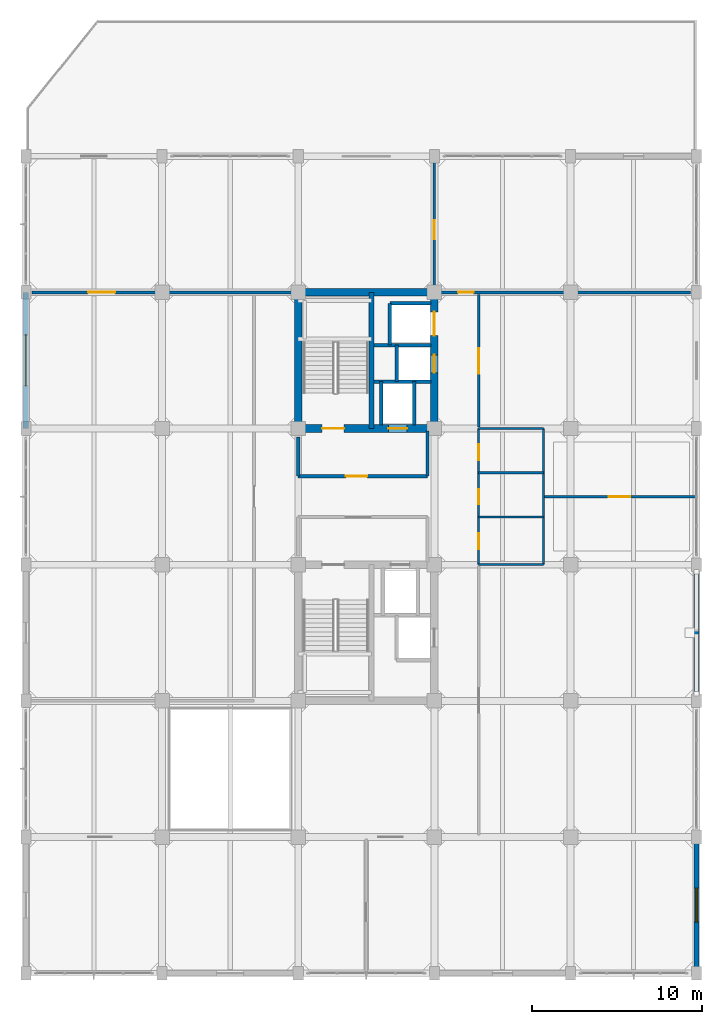
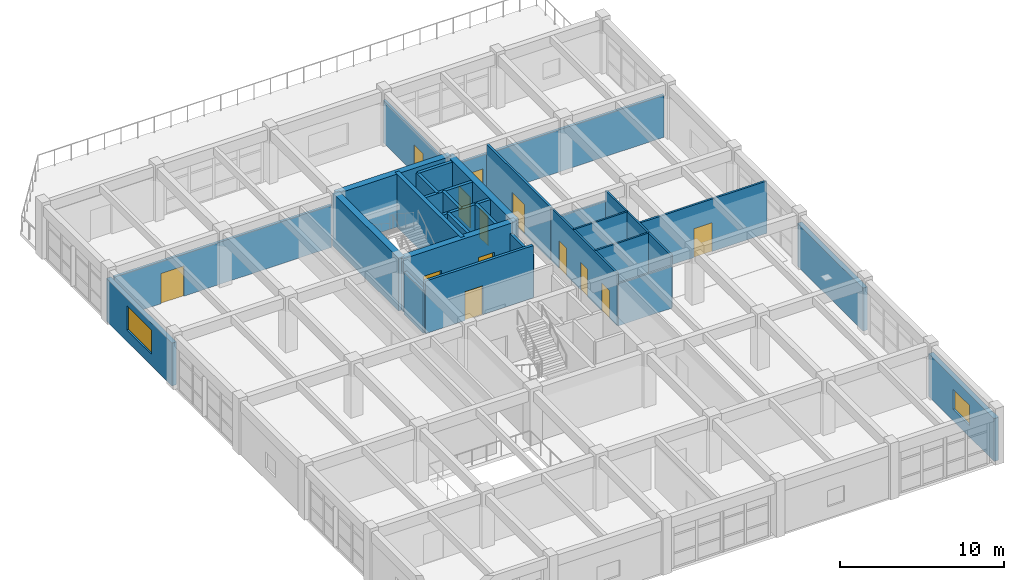
# One storey, part 25 of 30: 29 walls, 13 doors, 2 windows, 15 openings.
"""IFC4 building model written with IfcOpenShell, lengths in metres."""

import ifcopenshell
import ifcopenshell.guid

model = None  # the IFC model being written
_history = None  # IfcOwnerHistory: only IFC2X3 demands one
_inside = {}  # id of a spatial element -> (the spatial element, [elements in it])
_under = {}  # id of a project, library or spatial element -> (it, [spatial elements below it])
_declared = {}  # id of a project -> (the project, [libraries it declares])
_typed = {}  # id of a type object -> (the type object, [elements of that type])
_made_of = {}  # id of a material, layer set ... -> (it, [elements and type objects made of it])


def new_model(schema):
    """Start an empty IFC model of exactly this schema.

    Asked for "IFC4X3", IfcOpenShell would pick the latest addendum, in which some entities
    have other attributes; the version numbers below select the first issue.
    IFC2X3 requires an IfcOwnerHistory on every rooted entity: one is made here for all.
    """
    global model, _history
    if schema == "IFC4X3":
        model = ifcopenshell.file(schema_version=(4, 3, 0, 0))
    else:
        model = ifcopenshell.file(schema=schema)
    _inside.clear()
    _under.clear()
    _declared.clear()
    _typed.clear()
    _made_of.clear()
    _history = None
    if model.schema == "IFC2X3":
        org = make("IfcOrganization", Name="unknown")
        user = make(
            "IfcPersonAndOrganization",
            ThePerson=make("IfcPerson", FamilyName="unknown"),
            TheOrganization=org,
        )
        app = make(
            "IfcApplication",
            ApplicationDeveloper=org,
            Version="unknown",
            ApplicationFullName="unknown",
            ApplicationIdentifier="unknown",
        )
        _history = make(
            "IfcOwnerHistory",
            OwningUser=user,
            OwningApplication=app,
            ChangeAction="ADDED",
            CreationDate=0,
        )
    return model


def make(cls, **values):
    """One entity of the class cls with the attributes given. An attribute that is None is left unset."""
    return model.create_entity(
        cls, **{name: value for name, value in values.items() if value is not None}
    )


def rooted(cls, **values):
    """An entity with a GlobalId (a new one), such as an element, a storey or a relation."""
    return make(cls, GlobalId=ifcopenshell.guid.new(), OwnerHistory=_history, **values)


def si_unit(unit_type, name, prefix=None):
    """IfcSIUnit, for example si_unit("LENGTHUNIT", "METRE", prefix="MILLI")."""
    return make("IfcSIUnit", UnitType=unit_type, Prefix=prefix, Name=name)


def assignment(units):
    """IfcUnitAssignment: the units of a project."""
    return None if units is None else make("IfcUnitAssignment", Units=units)


def point(xyz):
    """IfcCartesianPoint."""
    return None if xyz is None else make("IfcCartesianPoint", Coordinates=xyz)


def direction(xyz):
    """IfcDirection."""
    return None if xyz is None else make("IfcDirection", DirectionRatios=xyz)


def frame(location, z_axis=None, x_axis=None):
    """IfcAxis2Placement3D, a coordinate frame: its origin and axes. An axis left out is left unset."""
    return make(
        "IfcAxis2Placement3D",
        Location=point(location),
        Axis=direction(z_axis),
        RefDirection=direction(x_axis),
    )


def frame_2d(location, x_axis=None):
    """IfcAxis2Placement2D, a coordinate frame in the plane: its origin and x axis."""
    return make(
        "IfcAxis2Placement2D", Location=point(location), RefDirection=direction(x_axis)
    )


def origin():
    """The frame at (0, 0, 0) with its axes left unset."""
    return frame((0.0, 0.0, 0.0))


def place(relative_to, where):
    """IfcLocalPlacement: puts the frame where relative to a parent placement (None: the world)."""
    return make(
        "IfcLocalPlacement", PlacementRelTo=relative_to, RelativePlacement=where
    )


def context(
    kind, dimensions, precision=None, world=None, true_north=None, identifier=None
):
    """IfcGeometricRepresentationContext, for example the 3D "Model" context."""
    return make(
        "IfcGeometricRepresentationContext",
        ContextIdentifier=identifier,
        ContextType=kind,
        CoordinateSpaceDimension=dimensions,
        Precision=precision,
        WorldCoordinateSystem=world,
        TrueNorth=true_north,
    )


def subcontext(parent, identifier, kind, view, scale=None):
    """IfcGeometricRepresentationSubContext, for example "Body" below "Model"."""
    return make(
        "IfcGeometricRepresentationSubContext",
        ContextIdentifier=identifier,
        ContextType=kind,
        ParentContext=parent,
        TargetScale=scale,
        TargetView=view,
    )


def project(units=None, contexts=None):
    """IfcProject with its units and contexts."""
    return rooted(
        "IfcProject",
        Name="project",
        RepresentationContexts=contexts,
        UnitsInContext=assignment(units),
    )


def spatial(cls, under=None, at=None, **own):
    """A site, building, storey or space (cls), placed at a placement, below another one or the project."""
    s = rooted(cls, ObjectPlacement=at, **own)
    if under is not None:
        _under.setdefault(under.id(), (under, []))[1].append(s)
    return s


def profile(cls, at=None, kind="AREA", **sizes):
    """A parametric profile (cls). Its sizes go by their IFC names, for example OverallWidth=200.0."""
    return make(cls, ProfileType=kind, Position=at, **sizes)


def rectangle(**sizes):
    """IfcRectangleProfileDef."""
    return profile("IfcRectangleProfileDef", **sizes)


def extrude(swept, where, along, depth):
    """IfcExtrudedAreaSolid: the profile swept, set in the frame where, extruded along a direction by depth."""
    return make(
        "IfcExtrudedAreaSolid",
        SweptArea=swept,
        Position=where,
        ExtrudedDirection=direction(along),
        Depth=depth,
    )


def shape(context_of_items, identifier, shape_type, items):
    """IfcShapeRepresentation: the items that make up one representation, for example the "Body"."""
    return make(
        "IfcShapeRepresentation",
        ContextOfItems=context_of_items,
        RepresentationIdentifier=identifier,
        RepresentationType=shape_type,
        Items=items,
    )


def material(Name=None, Category=None):
    """IfcMaterial."""
    return make("IfcMaterial", Name=Name, Category=Category)


def layer(
    of_material, thickness, ventilated=None, Name=None, Category=None, Priority=None
):
    """IfcMaterialLayer: one layer of a wall or slab, of a material (None: an air gap)."""
    return make(
        "IfcMaterialLayer",
        Material=of_material,
        LayerThickness=thickness,
        IsVentilated=ventilated,
        Name=Name,
        Category=Category,
        Priority=Priority,
    )


def layer_set(layers, Name=None):
    """IfcMaterialLayerSet."""
    return make("IfcMaterialLayerSet", MaterialLayers=layers, LayerSetName=Name)


def made_of(thing, what):
    """Note that an element or type object is made of a material, layer set ...; save() writes the relation."""
    if what is not None:
        _made_of.setdefault(what.id(), (what, []))[1].append(thing)
    return thing


def type_object(cls, material=None, **own):
    """A type object (cls), such as IfcWallType, which elements share."""
    return made_of(rooted(cls, **own), material)


def element(
    cls,
    number,
    at=None,
    inside=None,
    cuts=None,
    type_object=None,
    material=None,
    context=None,
    identifier="Body",
    shape_type=None,
    held_by="IfcProductDefinitionShape",
    body=None,
    shapes=None,
    **own,
):
    """One element of the class cls, such as IfcWall. Its Tag is "e" and its number.

    at: its placement. inside: the storey or other place that contains it. cuts: it is an
    opening in that element (IfcRelVoidsElement). A single representation is given by context,
    identifier, shape_type and body (its items); several are given by shapes. held_by: the class
    of the entity that holds the representations. save() writes the other relations.
    """
    e = rooted(cls, Tag="e%d" % number, ObjectPlacement=at, **own)
    if body is not None:
        shapes = [shape(context, identifier, shape_type, body)]
    if shapes is not None:
        e.Representation = make(held_by, Representations=shapes)
    if inside is not None:
        _inside.setdefault(inside.id(), (inside, []))[1].append(e)
    if cuts is not None:
        rooted(
            "IfcRelVoidsElement", RelatingBuildingElement=cuts, RelatedOpeningElement=e
        )
    if type_object is not None:
        _typed.setdefault(type_object.id(), (type_object, []))[1].append(e)
    return made_of(e, material)


def fill(opening, filler):
    """IfcRelFillsElement: the door or window that sits in an opening."""
    return rooted(
        "IfcRelFillsElement",
        RelatingOpeningElement=opening,
        RelatedBuildingElement=filler,
    )


def aggregate(whole, parts):
    """IfcRelAggregates: a whole, such as a stair, and the parts it consists of."""
    return rooted("IfcRelAggregates", RelatingObject=whole, RelatedObjects=parts)


def save(model, path):
    """Write the relations noted so far, then the file.

    IfcRelAggregates (storeys below a building ...), IfcRelContainedInSpatialStructure (elements
    in a storey), IfcRelDefinesByType, IfcRelAssociatesMaterial and IfcRelDeclares: one each for
    every whole, place, type object, material and project.
    """
    for whole, parts in _under.values():
        aggregate(whole, parts)
    for where, things in _inside.values():
        rooted(
            "IfcRelContainedInSpatialStructure",
            RelatedElements=things,
            RelatingStructure=where,
        )
    for kind, things in _typed.values():
        rooted("IfcRelDefinesByType", RelatedObjects=things, RelatingType=kind)
    for what, things in _made_of.values():
        rooted("IfcRelAssociatesMaterial", RelatedObjects=things, RelatingMaterial=what)
    for by, libraries in _declared.values():
        rooted("IfcRelDeclares", RelatingContext=by, RelatedDefinitions=libraries)
    model.write(path)


model = new_model("IFC4")

# Units and contexts
model_context = context("Model", 3, precision=1e-05, world=origin(), true_north=direction((0.0, 1.0)))
body_context = subcontext(model_context, "Body", "Model", "MODEL_VIEW")
ifc_project = project(units=[si_unit("LENGTHUNIT", "METRE"), si_unit("AREAUNIT", "SQUARE_METRE"), si_unit("VOLUMEUNIT", "CUBIC_METRE"), si_unit("PLANEANGLEUNIT", "RADIAN"), si_unit("MASSUNIT", "GRAM", prefix="KILO")], contexts=[model_context])

# Site, building, storey
site_placement = place(None, origin())
site = spatial("IfcSite", under=ifc_project, at=site_placement, CompositionType="ELEMENT")
building_placement = place(site_placement, origin())
building = spatial("IfcBuilding", under=site, at=building_placement, Name="Canggui Botanical Conservatory", CompositionType="ELEMENT")
storey_placement = place(building_placement, frame((0.0, 0.0, 19.199951171875)))
storey = spatial("IfcBuildingStorey", under=building, at=storey_placement, Name="L05", CompositionType="ELEMENT", Elevation=19.199951171875)

# Wall, opening, window
ifc_material_1 = material(Name="Precast Concrete C40", Category="concrete")
ifc_layer_1 = layer(ifc_material_1, 0.320068359375, Name="Precast Concrete C40", Category="concrete")
ifc_layer_set_1 = layer_set([ifc_layer_1], Name="Precast Concrete C40")
wall_type_1 = type_object("IfcWallType", Name="EW-320", PredefinedType="STANDARD", material=ifc_layer_set_1)
wall_1_placement = place(storey_placement, frame((138.0, 58.0, 0.0), z_axis=(0.0, 0.0, 1.0), x_axis=(0.0, 1.0, 0.0)))
wall_1 = element("IfcWall", 1, at=wall_1_placement, inside=storey, type_object=wall_type_1, Name="Tower Insulated Exterior Wall L05-W10", PredefinedType="STANDARD", context=body_context, shape_type="SweptSolid", body=[
    extrude(rectangle(XDim=8.0, YDim=0.320068359375, at=frame_2d((4.0, 0.0))), origin(), (0.0, 0.0, 1.0), 3.18994140625),
])
opening_1_placement = place(wall_1_placement, frame((2.5, 0.0, 0.85009765625)))
opening_1 = element("IfcOpeningElement", 2, at=opening_1_placement, cuts=wall_1, Name="Opening W-07", PredefinedType="OPENING", context=body_context, shape_type="SweptSolid", body=[
    extrude(rectangle(XDim=3.0, YDim=1.800048828125, at=frame_2d((1.5, 0.89990234375))), frame((0.0, 0.169921875, 0.0), z_axis=(0.0, -1.0, 0.0), x_axis=(1.0, 0.0, 0.0)), (0.0, 0.0, 1.0), 0.340087890625),
])
ifc_material_2 = material(Name="Low-E Insulated Glass", Category="glass")
window_type_1 = type_object("IfcWindowType", Name="WIN-07", PartitioningType="TRIPLE_PANEL_VERTICAL", PredefinedType="WINDOW", material=ifc_material_2)
window_1_placement = place(opening_1_placement, origin())
window_1 = element("IfcWindow", 3, at=window_1_placement, inside=storey, type_object=window_type_1, Name="Tower Window L05-10", OverallHeight=1.800048828125, OverallWidth=3.0, PartitioningType="SINGLE_PANEL", PredefinedType="WINDOW", context=body_context, shape_type="SweptSolid", body=[
    extrude(rectangle(XDim=3.0, YDim=1.800048828125, at=frame_2d((1.5, 0.89990234375))), frame((0.0, 0.030029296875, 0.0), z_axis=(0.0, -1.0, 0.0), x_axis=(1.0, 0.0, 0.0)), (0.0, 0.0, 1.0), 0.06005859375),
])
fill(opening_1, window_1)

# Wall
wall_2_placement = place(storey_placement, frame((177.39990234375, 50.0, 0.0), z_axis=(0.0, 0.0, 1.0), x_axis=(0.0, -1.0, 0.0)))
element("IfcWall", 4, at=wall_2_placement, inside=storey, type_object=wall_type_1, Name="Tower Insulated Exterior Wall L05-E20", PredefinedType="STANDARD", context=body_context, shape_type="SweptSolid", body=[
    extrude(rectangle(XDim=8.0, YDim=0.320068359375, at=frame_2d((4.0, 0.0))), origin(), (0.0, 0.0, 1.0), 3.18994140625),
])

# Wall, opening, window
wall_3_placement = place(storey_placement, frame((177.39990234375, 34.0, 0.0), z_axis=(0.0, 0.0, 1.0), x_axis=(0.0, -1.0, 0.0)))
wall_3 = element("IfcWall", 5, at=wall_3_placement, inside=storey, type_object=wall_type_1, Name="Tower Insulated Exterior Wall L05-E22", PredefinedType="STANDARD", context=body_context, shape_type="SweptSolid", body=[
    extrude(rectangle(XDim=8.0, YDim=0.320068359375, at=frame_2d((4.0, 0.0))), origin(), (0.0, 0.0, 1.0), 3.18994140625),
])
opening_2_placement = place(wall_3_placement, frame((3.0, 0.0, 0.85009765625)))
opening_2 = element("IfcOpeningElement", 6, at=opening_2_placement, cuts=wall_3, Name="Opening W-11", PredefinedType="OPENING", context=body_context, shape_type="SweptSolid", body=[
    extrude(rectangle(XDim=2.0, YDim=1.5, at=frame_2d((1.0, 0.75))), frame((0.0, 0.169921875, 0.0), z_axis=(0.0, -1.0, 0.0), x_axis=(1.0, 0.0, 0.0)), (0.0, 0.0, 1.0), 0.340087890625),
])
window_type_2 = type_object("IfcWindowType", Name="WIN-11", PartitioningType="DOUBLE_PANEL_VERTICAL", PredefinedType="WINDOW", material=ifc_material_2)
window_2_placement = place(opening_2_placement, origin())
window_2 = element("IfcWindow", 7, at=window_2_placement, inside=storey, type_object=window_type_2, Name="Tower Window L05-22", OverallHeight=1.5, OverallWidth=2.0, PartitioningType="SINGLE_PANEL", PredefinedType="WINDOW", context=body_context, shape_type="SweptSolid", body=[
    extrude(rectangle(XDim=2.0, YDim=1.5, at=frame_2d((1.0, 0.75))), frame((0.0, 0.030029296875, 0.0), z_axis=(0.0, -1.0, 0.0), x_axis=(1.0, 0.0, 0.0)), (0.0, 0.0, 1.0), 0.06005859375),
])
fill(opening_2, window_2)

# Wall, opening, door
ifc_material_3 = material(Name="Gypsum Plasterboard Partition")
ifc_layer_2 = layer(ifc_material_3, 0.175048828125, Name="Gypsum Plasterboard Partition")
ifc_layer_set_2 = layer_set([ifc_layer_2], Name="Gypsum Plasterboard Partition")
wall_type_2 = type_object("IfcWallType", Name="IW-CORR-175", PredefinedType="STANDARD", material=ifc_layer_set_2)
wall_4_placement = place(storey_placement, frame((138.35009765625, 66.0, 0.0), z_axis=(0.0, 0.0, 1.0), x_axis=(1.0, 0.0, 0.0)))
wall_4 = element("IfcWall", 8, at=wall_4_placement, inside=storey, type_object=wall_type_2, Name="L05 Archival Conservation Bindery North Suite Wall", PredefinedType="STANDARD", context=body_context, shape_type="SweptSolid", body=[
    extrude(rectangle(XDim=15.2998046875, YDim=0.175048828125, at=frame_2d((7.64990234375, 0.0))), origin(), (0.0, 0.0, 1.0), 3.14013671875),
])
opening_3_placement = place(wall_4_placement, frame((3.300048828125, 0.0, 0.0)))
opening_3 = element("IfcOpeningElement", 9, at=opening_3_placement, cuts=wall_4, Name="Opening FD-15", PredefinedType="OPENING", context=body_context, shape_type="SweptSolid", body=[
    extrude(rectangle(XDim=1.60009765625, YDim=2.25, at=frame_2d((0.800048828125, 1.125))), frame((0.0, 0.09765625, 0.0), z_axis=(0.0, -1.0, 0.0), x_axis=(1.0, 0.0, 0.0)), (0.0, 0.0, 1.0), 0.195068359375),
])
ifc_material_4 = material(Name="Powder-Coated Steel", Category="steel")
door_type_1 = type_object("IfcDoorType", Name="FD-15", OperationType="NOTDEFINED", PredefinedType="DOOR", material=ifc_material_4)
door_1_placement = place(opening_3_placement, origin())
door_1 = element("IfcDoor", 10, at=door_1_placement, inside=storey, type_object=door_type_1, Name="Interior Door IW-L05-NCOR-1", OperationType="DOUBLE_DOOR_SINGLE_SWING", OverallHeight=2.25, OverallWidth=1.60009765625, PredefinedType="DOOR", context=body_context, shape_type="SweptSolid", body=[
    extrude(rectangle(XDim=1.60009765625, YDim=2.25, at=frame_2d((0.800048828125, 1.125))), frame((0.0, 0.02490234375, 0.0), z_axis=(0.0, -1.0, 0.0), x_axis=(1.0, 0.0, 0.0)), (0.0, 0.0, 1.0), 0.050048828125),
])
fill(opening_3, door_1)

wall_5_placement = place(storey_placement, frame((162.35009765625, 66.0, 0.0), z_axis=(0.0, 0.0, 1.0), x_axis=(1.0, 0.0, 0.0)))
wall_5 = element("IfcWall", 11, at=wall_5_placement, inside=storey, type_object=wall_type_2, Name="L05 Botanical Periodicals Stack Room North Suite Wall", PredefinedType="STANDARD", context=body_context, shape_type="SweptSolid", body=[
    extrude(rectangle(XDim=14.699951171875, YDim=0.175048828125, at=frame_2d((7.35009765625, 0.0))), origin(), (0.0, 0.0, 1.0), 3.14013671875),
])
opening_4_placement = place(wall_5_placement, frame((1.050048828125, 0.0, 0.0)))
opening_4 = element("IfcOpeningElement", 12, at=opening_4_placement, cuts=wall_5, Name="Opening FD-01", PredefinedType="OPENING", context=body_context, shape_type="SweptSolid", body=[
    extrude(rectangle(XDim=0.89990234375, YDim=2.10009765625, at=frame_2d((0.449951171875, 1.050048828125))), frame((0.0, 0.09765625, 0.0), z_axis=(0.0, -1.0, 0.0), x_axis=(1.0, 0.0, 0.0)), (0.0, 0.0, 1.0), 0.195068359375),
])
door_type_2 = type_object("IfcDoorType", Name="FD-01", OperationType="NOTDEFINED", PredefinedType="DOOR", material=ifc_material_4)
door_2_placement = place(opening_4_placement, origin())
door_2 = element("IfcDoor", 13, at=door_2_placement, inside=storey, type_object=door_type_2, Name="Interior Door IW-L05-NCOR-2", OperationType="SINGLE_SWING_RIGHT", OverallHeight=2.10009765625, OverallWidth=0.89990234375, PredefinedType="DOOR", context=body_context, shape_type="SweptSolid", body=[
    extrude(rectangle(XDim=0.89990234375, YDim=2.10009765625, at=frame_2d((0.449951171875, 1.050048828125))), frame((0.0, 0.02490234375, 0.0), z_axis=(0.0, -1.0, 0.0), x_axis=(1.0, 0.0, 0.0)), (0.0, 0.0, 1.0), 0.050048828125),
])
fill(opening_4, door_2)

ifc_layer_3 = layer(ifc_material_3, 0.155029296875, Name="Gypsum Plasterboard Partition")
ifc_layer_set_3 = layer_set([ifc_layer_3], Name="Gypsum Plasterboard Partition")
wall_type_3 = type_object("IfcWallType", Name="IW-LAB-155", PredefinedType="STANDARD", material=ifc_layer_set_3)
wall_6_placement = place(storey_placement, frame((164.60009765625, 58.080078125, 0.0), z_axis=(0.0, 0.0, 1.0), x_axis=(0.0, 1.0, 0.0)))
wall_6 = element("IfcWall", 14, at=wall_6_placement, inside=storey, type_object=wall_type_3, Name="L05 Rare Book Microform Studio Lab Wall", PredefinedType="STANDARD", context=body_context, shape_type="SweptSolid", body=[
    extrude(rectangle(XDim=7.7998046875, YDim=0.155029296875, at=frame_2d((3.89990234375, 0.0))), origin(), (0.0, 0.0, 1.0), 3.900146484375),
])
opening_5_placement = place(wall_6_placement, frame((3.14990234375, 0.0, 0.0)))
opening_5 = element("IfcOpeningElement", 15, at=opening_5_placement, cuts=wall_6, Name="Opening FD-13", PredefinedType="OPENING", context=body_context, shape_type="SweptSolid", body=[
    extrude(rectangle(XDim=1.5, YDim=2.199951171875, at=frame_2d((0.75, 1.10009765625))), frame((0.0, 0.08740234375, 0.0), z_axis=(0.0, -1.0, 0.0), x_axis=(1.0, 0.0, 0.0)), (0.0, 0.0, 1.0), 0.175048828125),
])
door_type_3 = type_object("IfcDoorType", Name="FD-13", OperationType="NOTDEFINED", PredefinedType="DOOR", material=ifc_material_4)
door_3_placement = place(opening_5_placement, origin())
door_3 = element("IfcDoor", 16, at=door_3_placement, inside=storey, type_object=door_type_3, Name="Interior Door IW-L05-ECOR-2-1", OperationType="SINGLE_SWING_LEFT", OverallHeight=2.199951171875, OverallWidth=1.5, PredefinedType="DOOR", context=body_context, shape_type="SweptSolid", body=[
    extrude(rectangle(XDim=1.5, YDim=2.199951171875, at=frame_2d((0.75, 1.10009765625))), frame((0.0, 0.02490234375, 0.0), z_axis=(0.0, -1.0, 0.0), x_axis=(1.0, 0.0, 0.0)), (0.0, 0.0, 1.0), 0.050048828125),
])
fill(opening_5, door_3)

ifc_material_5 = material(Name="Concrete C35", Category="concrete")
ifc_layer_4 = layer(ifc_material_5, 0.195068359375, Name="Concrete C35", Category="concrete")
ifc_layer_set_4 = layer_set([ifc_layer_4], Name="Concrete C35")
wall_type_4 = type_object("IfcWallType", Name="IW-LOBBY-195", PredefinedType="STANDARD", material=ifc_layer_set_4)
wall_7_placement = place(storey_placement, frame((154.0, 55.199951171875, 0.0), z_axis=(0.0, 0.0, 1.0), x_axis=(1.0, 0.0, 0.0)))
wall_7 = element("IfcWall", 17, at=wall_7_placement, inside=storey, type_object=wall_type_4, Name="L05 North Firefighting Lift Lobby South Wall", PredefinedType="STANDARD", context=body_context, shape_type="SweptSolid", body=[
    extrude(rectangle(XDim=7.60009765625, YDim=0.195068359375, at=frame_2d((3.800048828125, 0.0))), origin(), (0.0, 0.0, 1.0), 3.900146484375),
])
opening_6_placement = place(wall_7_placement, frame((2.800048828125, 0.0, 0.0)))
opening_6 = element("IfcOpeningElement", 18, at=opening_6_placement, cuts=wall_7, Name="Opening FD-08", PredefinedType="OPENING", context=body_context, shape_type="SweptSolid", body=[
    extrude(rectangle(XDim=1.25, YDim=2.14990234375, at=frame_2d((0.625, 1.074951171875))), frame((0.0, 0.107421875, 0.0), z_axis=(0.0, -1.0, 0.0), x_axis=(1.0, 0.0, 0.0)), (0.0, 0.0, 1.0), 0.215087890625),
])
door_type_4 = type_object("IfcDoorType", Name="FD-08", OperationType="NOTDEFINED", PredefinedType="DOOR", material=ifc_material_4)
door_4_placement = place(opening_6_placement, origin())
door_4 = element("IfcDoor", 19, at=door_4_placement, inside=storey, type_object=door_type_4, Name="L05 North Firefighting Lobby Fire Door", OperationType="SINGLE_SWING_RIGHT", OverallHeight=2.14990234375, OverallWidth=1.25, PredefinedType="DOOR", context=body_context, shape_type="SweptSolid", body=[
    extrude(rectangle(XDim=1.25, YDim=2.14990234375, at=frame_2d((0.625, 1.074951171875))), frame((0.0, 0.02490234375, 0.0), z_axis=(0.0, -1.0, 0.0), x_axis=(1.0, 0.0, 0.0)), (0.0, 0.0, 1.0), 0.050048828125),
])
fill(opening_6, door_4)

# Walls
wall_8_placement = place(storey_placement, frame((161.60009765625, 55.199951171875, 0.0), z_axis=(0.0, 0.0, 1.0), x_axis=(0.0, 1.0, 0.0)))
element("IfcWall", 20, at=wall_8_placement, inside=storey, type_object=wall_type_4, Name="L05 North Firefighting Lift Lobby East Wall", PredefinedType="STANDARD", context=body_context, shape_type="SweptSolid", body=[
    extrude(rectangle(XDim=2.650146484375, YDim=0.195068359375, at=frame_2d((1.3251953125, 0.0))), origin(), (0.0, 0.0, 1.0), 3.18994140625),
])
wall_9_placement = place(storey_placement, frame((154.0, 55.199951171875, 0.0), z_axis=(0.0, 0.0, 1.0), x_axis=(0.0, 1.0, 0.0)))
element("IfcWall", 21, at=wall_9_placement, inside=storey, type_object=wall_type_4, Name="L05 North Firefighting Lift Lobby West Wall", PredefinedType="STANDARD", context=body_context, shape_type="SweptSolid", body=[
    extrude(rectangle(XDim=2.300048828125, YDim=0.195068359375, at=frame_2d((1.14990234375, 0.0))), origin(), (0.0, 0.0, 1.0), 3.18994140625),
])

# Wall, opening, door
ifc_layer_5 = layer(ifc_material_3, 0.139892578125, Name="Gypsum Plasterboard Partition")
ifc_layer_set_5 = layer_set([ifc_layer_5], Name="Gypsum Plasterboard Partition")
wall_type_5 = type_object("IfcWallType", Name="IW-PART-140", PredefinedType="STANDARD", material=ifc_layer_set_5)
wall_10_placement = place(storey_placement, frame((168.39990234375, 54.0, 0.0), z_axis=(0.0, 0.0, 1.0), x_axis=(1.0, 0.0, 0.0)))
wall_10 = element("IfcWall", 22, at=wall_10_placement, inside=storey, type_object=wall_type_5, Name="L05 Taxonomy Reference Library Subdivision Wall", PredefinedType="STANDARD", context=body_context, shape_type="SweptSolid", body=[
    extrude(rectangle(XDim=8.960205078125, YDim=0.139892578125, at=frame_2d((4.47998046875, 0.0))), origin(), (0.0, 0.0, 1.0), 3.900146484375),
])
opening_7_placement = place(wall_10_placement, frame((3.840087890625, 0.0, 0.0)))
opening_7 = element("IfcOpeningElement", 23, at=opening_7_placement, cuts=wall_10, Name="Opening ID-09", PredefinedType="OPENING", context=body_context, shape_type="SweptSolid", body=[
    extrude(rectangle(XDim=1.280029296875, YDim=2.139892578125, at=frame_2d((0.64013671875, 1.06982421875))), frame((0.0, 0.080078125, 0.0), z_axis=(0.0, -1.0, 0.0), x_axis=(1.0, 0.0, 0.0)), (0.0, 0.0, 1.0), 0.159912109375),
])
ifc_material_6 = material(Name="Engineered Timber Veneer", Category="wood")
door_type_5 = type_object("IfcDoorType", Name="ID-09", OperationType="NOTDEFINED", PredefinedType="DOOR", material=ifc_material_6)
door_5_placement = place(opening_7_placement, origin())
door_5 = element("IfcDoor", 24, at=door_5_placement, inside=storey, type_object=door_type_5, Name="Interior Door IW-L05-EDIV-1", OperationType="SINGLE_SWING_RIGHT", OverallHeight=2.139892578125, OverallWidth=1.280029296875, PredefinedType="DOOR", context=body_context, shape_type="SweptSolid", body=[
    extrude(rectangle(XDim=1.280029296875, YDim=2.139892578125, at=frame_2d((0.64013671875, 1.06982421875))), frame((0.0, 0.02490234375, 0.0), z_axis=(0.0, -1.0, 0.0), x_axis=(1.0, 0.0, 0.0)), (0.0, 0.0, 1.0), 0.050048828125),
])
fill(opening_7, door_5)

wall_11_placement = place(storey_placement, frame((162.0, 66.1201171875, 0.0), z_axis=(0.0, 0.0, 1.0), x_axis=(0.0, 1.0, 0.0)))
wall_11 = element("IfcWall", 25, at=wall_11_placement, inside=storey, type_object=wall_type_5, Name="L05 Archival Conservation Bindery North Cross Wall", PredefinedType="STANDARD", context=body_context, shape_type="SweptSolid", body=[
    extrude(rectangle(XDim=7.829833984375, YDim=0.139892578125, at=frame_2d((3.9150390625, 0.0))), origin(), (0.0, 0.0, 1.0), 3.18994140625),
])
opening_8_placement = place(wall_11_placement, frame((3.0, 0.0, 0.0)))
opening_8 = element("IfcOpeningElement", 26, at=opening_8_placement, cuts=wall_11, Name="Opening ID-06", PredefinedType="OPENING", context=body_context, shape_type="SweptSolid", body=[
    extrude(rectangle(XDim=1.1201171875, YDim=2.1201171875, at=frame_2d((0.56005859375, 1.06005859375))), frame((0.0, 0.080078125, 0.0), z_axis=(0.0, -1.0, 0.0), x_axis=(1.0, 0.0, 0.0)), (0.0, 0.0, 1.0), 0.159912109375),
])
door_type_6 = type_object("IfcDoorType", Name="ID-06", OperationType="NOTDEFINED", PredefinedType="DOOR", material=ifc_material_6)
door_6_placement = place(opening_8_placement, origin())
door_6 = element("IfcDoor", 27, at=door_6_placement, inside=storey, type_object=door_type_6, Name="Interior Door IW-L05-NDIV-1", OperationType="SINGLE_SWING_LEFT", OverallHeight=2.1201171875, OverallWidth=1.1201171875, PredefinedType="DOOR", context=body_context, shape_type="SweptSolid", body=[
    extrude(rectangle(XDim=1.1201171875, YDim=2.1201171875, at=frame_2d((0.56005859375, 1.06005859375))), frame((0.0, 0.02490234375, 0.0), z_axis=(0.0, -1.0, 0.0), x_axis=(1.0, 0.0, 0.0)), (0.0, 0.0, 1.0), 0.050048828125),
])
fill(opening_8, door_6)

# Walls
ifc_layer_6 = layer(ifc_material_5, 0.215087890625, Name="Concrete C35", Category="concrete")
ifc_layer_set_6 = layer_set([ifc_layer_6], Name="Concrete C35")
wall_type_6 = type_object("IfcWallType", Name="IW-SHAFT-215", PredefinedType="STANDARD", material=ifc_layer_set_6)
wall_12_placement = place(storey_placement, frame((158.449951171875, 62.89990234375, 0.0), z_axis=(0.0, 0.0, 1.0), x_axis=(1.0, 0.0, 0.0)))
element("IfcWall", 28, at=wall_12_placement, inside=storey, type_object=wall_type_6, Name="Core T2 Goods Lift Shaft Divider L05", PredefinedType="STANDARD", context=body_context, shape_type="SweptSolid", body=[
    extrude(rectangle(XDim=3.35009765625, YDim=0.215087890625, at=frame_2d((1.675048828125, 0.0))), origin(), (0.0, 0.0, 1.0), 3.900146484375),
])
wall_13_placement = place(storey_placement, frame((160.820068359375, 58.199951171875, 0.0), z_axis=(0.0, 0.0, 1.0), x_axis=(0.0, 1.0, 0.0)))
element("IfcWall", 29, at=wall_13_placement, inside=storey, type_object=wall_type_6, Name="Core T2 Lift Bank Web L05", PredefinedType="STANDARD", context=body_context, shape_type="SweptSolid", body=[
    extrude(rectangle(XDim=2.550048828125, YDim=0.215087890625, at=frame_2d((1.27490234375, 0.0))), origin(), (0.0, 0.0, 1.0), 3.900146484375),
])
wall_14_placement = place(storey_placement, frame((159.3798828125, 62.89990234375, 0.0), z_axis=(0.0, 0.0, 1.0), x_axis=(0.0, 1.0, 0.0)))
element("IfcWall", 30, at=wall_14_placement, inside=storey, type_object=wall_type_6, Name="Core T2 GL-01 West Shaft Wall L05", PredefinedType="STANDARD", context=body_context, shape_type="SweptSolid", body=[
    extrude(rectangle(XDim=2.4501953125, YDim=0.215087890625, at=frame_2d((1.22509765625, 0.0))), origin(), (0.0, 0.0, 1.0), 3.900146484375),
])
wall_15_placement = place(storey_placement, frame((159.3798828125, 65.35009765625, 0.0), z_axis=(0.0, 0.0, 1.0), x_axis=(1.0, 0.0, 0.0)))
element("IfcWall", 31, at=wall_15_placement, inside=storey, type_object=wall_type_6, Name="Core T2 GL-01 North Shaft Wall L05", PredefinedType="STANDARD", context=body_context, shape_type="SweptSolid", body=[
    extrude(rectangle(XDim=2.420166015625, YDim=0.215087890625, at=frame_2d((1.2099609375, 0.0))), origin(), (0.0, 0.0, 1.0), 3.900146484375),
])
wall_16_placement = place(storey_placement, frame((158.449951171875, 60.75, 0.0), z_axis=(0.0, 0.0, 1.0), x_axis=(1.0, 0.0, 0.0)))
element("IfcWall", 32, at=wall_16_placement, inside=storey, type_object=wall_type_6, Name="Core T2 PL-02 South Shaft Wall L05", PredefinedType="STANDARD", context=body_context, shape_type="SweptSolid", body=[
    extrude(rectangle(XDim=3.35009765625, YDim=0.215087890625, at=frame_2d((1.675048828125, 0.0))), origin(), (0.0, 0.0, 1.0), 3.900146484375),
])
wall_17_placement = place(storey_placement, frame((159.780029296875, 60.75, 0.0), z_axis=(0.0, 0.0, 1.0), x_axis=(0.0, 1.0, 0.0)))
element("IfcWall", 33, at=wall_17_placement, inside=storey, type_object=wall_type_6, Name="Core T2 PL-02 West Shaft Wall L05", PredefinedType="STANDARD", context=body_context, shape_type="SweptSolid", body=[
    extrude(rectangle(XDim=2.14990234375, YDim=0.215087890625, at=frame_2d((1.074951171875, 0.0))), origin(), (0.0, 0.0, 1.0), 3.900146484375),
])
wall_18_placement = place(storey_placement, frame((158.8798828125, 58.199951171875, 0.0), z_axis=(0.0, 0.0, 1.0), x_axis=(0.0, 1.0, 0.0)))
element("IfcWall", 34, at=wall_18_placement, inside=storey, type_object=wall_type_6, Name="Core T2 FL-02 West Shaft Wall L05", PredefinedType="STANDARD", context=body_context, shape_type="SweptSolid", body=[
    extrude(rectangle(XDim=2.550048828125, YDim=0.215087890625, at=frame_2d((1.27490234375, 0.0))), origin(), (0.0, 0.0, 1.0), 3.900146484375),
])

# Wall, openings, doors
ifc_layer_7 = layer(ifc_material_3, 0.125, Name="Gypsum Plasterboard Partition")
ifc_layer_set_7 = layer_set([ifc_layer_7], Name="Gypsum Plasterboard Partition")
wall_type_7 = type_object("IfcWallType", Name="IW-WC-125", PredefinedType="STANDARD", material=ifc_layer_set_7)
wall_19_placement = place(storey_placement, frame((164.60009765625, 50.0, 0.0), z_axis=(0.0, 0.0, 1.0), x_axis=(0.0, 1.0, 0.0)))
wall_19 = element("IfcWall", 35, at=wall_19_placement, inside=storey, type_object=wall_type_7, Name="L05 Restroom Block Corridor Wall", PredefinedType="STANDARD", context=body_context, shape_type="SweptSolid", body=[
    extrude(rectangle(XDim=8.0, YDim=0.125, at=frame_2d((4.0, 0.0))), origin(), (0.0, 0.0, 1.0), 3.900146484375),
])
opening_9_placement = place(wall_19_placement, frame((0.89990234375, 0.0, 0.0)))
opening_9 = element("IfcOpeningElement", 36, at=opening_9_placement, cuts=wall_19, Name="Opening ID-03", PredefinedType="OPENING", context=body_context, shape_type="SweptSolid", body=[
    extrude(rectangle(XDim=0.9599609375, YDim=2.080078125, at=frame_2d((0.47998046875, 1.0400390625))), frame((0.0, 0.072509765625, 0.0), z_axis=(0.0, -1.0, 0.0), x_axis=(1.0, 0.0, 0.0)), (0.0, 0.0, 1.0), 0.14501953125),
])
opening_10_placement = place(wall_19_placement, frame((3.550048828125, 0.0, 0.0)))
opening_10 = element("IfcOpeningElement", 37, at=opening_10_placement, cuts=wall_19, Name="Opening ID-01", PredefinedType="OPENING", context=body_context, shape_type="SweptSolid", body=[
    extrude(rectangle(XDim=0.8798828125, YDim=2.050048828125, at=frame_2d((0.43994140625, 1.02490234375))), frame((0.0, 0.072509765625, 0.0), z_axis=(0.0, -1.0, 0.0), x_axis=(1.0, 0.0, 0.0)), (0.0, 0.0, 1.0), 0.14501953125),
])
opening_11_placement = place(wall_19_placement, frame((6.14990234375, 0.0, 0.0)))
opening_11 = element("IfcOpeningElement", 38, at=opening_11_placement, cuts=wall_19, Name="Opening ID-02", PredefinedType="OPENING", context=body_context, shape_type="SweptSolid", body=[
    extrude(rectangle(XDim=0.919921875, YDim=2.050048828125, at=frame_2d((0.4599609375, 1.02490234375))), frame((0.0, 0.072509765625, 0.0), z_axis=(0.0, -1.0, 0.0), x_axis=(1.0, 0.0, 0.0)), (0.0, 0.0, 1.0), 0.14501953125),
])
door_type_7 = type_object("IfcDoorType", Name="ID-01", OperationType="NOTDEFINED", PredefinedType="DOOR", material=ifc_material_6)
door_7_placement = place(opening_10_placement, origin())
door_7 = element("IfcDoor", 39, at=door_7_placement, inside=storey, type_object=door_type_7, Name="L05 Male WC Door", OperationType="SINGLE_SWING_RIGHT", OverallHeight=2.050048828125, OverallWidth=0.8798828125, PredefinedType="DOOR", context=body_context, shape_type="SweptSolid", body=[
    extrude(rectangle(XDim=0.8798828125, YDim=2.050048828125, at=frame_2d((0.43994140625, 1.02490234375))), frame((0.0, 0.02490234375, 0.0), z_axis=(0.0, -1.0, 0.0), x_axis=(1.0, 0.0, 0.0)), (0.0, 0.0, 1.0), 0.050048828125),
])
fill(opening_10, door_7)
door_type_8 = type_object("IfcDoorType", Name="ID-02", OperationType="NOTDEFINED", PredefinedType="DOOR", material=ifc_material_6)
door_8_placement = place(opening_11_placement, origin())
door_8 = element("IfcDoor", 40, at=door_8_placement, inside=storey, type_object=door_type_8, Name="L05 Female WC Door", OperationType="SINGLE_SWING_LEFT", OverallHeight=2.050048828125, OverallWidth=0.919921875, PredefinedType="DOOR", context=body_context, shape_type="SweptSolid", body=[
    extrude(rectangle(XDim=0.919921875, YDim=2.050048828125, at=frame_2d((0.4599609375, 1.02490234375))), frame((0.0, 0.02490234375, 0.0), z_axis=(0.0, -1.0, 0.0), x_axis=(1.0, 0.0, 0.0)), (0.0, 0.0, 1.0), 0.050048828125),
])
fill(opening_11, door_8)
door_type_9 = type_object("IfcDoorType", Name="ID-03", OperationType="NOTDEFINED", PredefinedType="DOOR", material=ifc_material_6)
door_9_placement = place(opening_9_placement, origin())
door_9 = element("IfcDoor", 41, at=door_9_placement, inside=storey, type_object=door_type_9, Name="L05 Accessible WC Door", OperationType="SINGLE_SWING_LEFT", OverallHeight=2.080078125, OverallWidth=0.9599609375, PredefinedType="DOOR", context=body_context, shape_type="SweptSolid", body=[
    extrude(rectangle(XDim=0.9599609375, YDim=2.080078125, at=frame_2d((0.47998046875, 1.0400390625))), frame((0.0, 0.02490234375, 0.0), z_axis=(0.0, -1.0, 0.0), x_axis=(1.0, 0.0, 0.0)), (0.0, 0.0, 1.0), 0.050048828125),
])
fill(opening_9, door_9)

# Walls
wall_20_placement = place(storey_placement, frame((168.39990234375, 50.0, 0.0), z_axis=(0.0, 0.0, 1.0), x_axis=(0.0, 1.0, 0.0)))
element("IfcWall", 42, at=wall_20_placement, inside=storey, type_object=wall_type_7, Name="L05 Restroom Block Back Wall", PredefinedType="STANDARD", context=body_context, shape_type="SweptSolid", body=[
    extrude(rectangle(XDim=8.0, YDim=0.125, at=frame_2d((4.0, 0.0))), origin(), (0.0, 0.0, 1.0), 3.900146484375),
])
wall_21_placement = place(storey_placement, frame((164.60009765625, 50.0, 0.0), z_axis=(0.0, 0.0, 1.0), x_axis=(1.0, 0.0, 0.0)))
element("IfcWall", 43, at=wall_21_placement, inside=storey, type_object=wall_type_7, Name="L05 Restroom Divider Y50.0", PredefinedType="STANDARD", context=body_context, shape_type="SweptSolid", body=[
    extrude(rectangle(XDim=3.7998046875, YDim=0.125, at=frame_2d((1.89990234375, 0.0))), origin(), (0.0, 0.0, 1.0), 3.14013671875),
])
for number, where, z_axis, x_axis, name in (
    (44, (164.60009765625, 52.800048828125, 0.0), (0.0, 0.0, 1.0), (1.0, 0.0, 0.0), "L05 Restroom Divider Y52.8"),
    (45, (164.60009765625, 55.39990234375, 0.0), (0.0, 0.0, 1.0), (1.0, 0.0, 0.0), "L05 Restroom Divider Y55.4"),
):
    element("IfcWall", number, at=place(storey_placement, frame(where, z_axis=z_axis, x_axis=x_axis)), inside=storey, type_object=wall_type_7, Name=name, PredefinedType="STANDARD", context=body_context, shape_type="SweptSolid", body=[
        extrude(rectangle(XDim=3.7998046875, YDim=0.125, at=frame_2d((1.89990234375, 0.0))), origin(), (0.0, 0.0, 1.0), 3.900146484375),
    ])
wall_22_placement = place(storey_placement, frame((164.60009765625, 58.0, 0.0), z_axis=(0.0, 0.0, 1.0), x_axis=(1.0, 0.0, 0.0)))
element("IfcWall", 46, at=wall_22_placement, inside=storey, type_object=wall_type_7, Name="L05 Restroom Divider Y58.0", PredefinedType="STANDARD", context=body_context, shape_type="SweptSolid", body=[
    extrude(rectangle(XDim=3.7998046875, YDim=0.125, at=frame_2d((1.89990234375, 0.0))), origin(), (0.0, 0.0, 1.0), 3.14013671875),
])
ifc_layer_8 = layer(ifc_material_5, 0.280029296875, Name="Concrete C35", Category="concrete")
ifc_layer_set_8 = layer_set([ifc_layer_8], Name="Concrete C35")
wall_type_8 = type_object("IfcWallType", Name="WALL-SH-280-C35", PredefinedType="SHEAR", material=ifc_layer_set_8)
wall_23_placement = place(storey_placement, frame((158.300048828125, 58.0, 0.0), z_axis=(0.0, 0.0, 1.0), x_axis=(0.0, 1.0, 0.0)))
element("IfcWall", 47, at=wall_23_placement, inside=storey, type_object=wall_type_8, Name="Core T2 Internal Shear Web L05", PredefinedType="SHEAR", context=body_context, shape_type="SweptSolid", body=[
    extrude(rectangle(XDim=8.0, YDim=0.280029296875, at=frame_2d((4.0, 0.0))), origin(), (0.0, 0.0, 1.0), 3.949951171875),
])

# Wall, openings, doors
ifc_material_7 = material(Name="Concrete C50", Category="concrete")
ifc_layer_9 = layer(ifc_material_7, 0.449951171875, Name="Concrete C50", Category="concrete")
ifc_layer_set_9 = layer_set([ifc_layer_9], Name="Concrete C50")
wall_type_9 = type_object("IfcWallType", Name="WALL-SH-450-C50", PredefinedType="SHEAR", material=ifc_layer_set_9)
wall_24_placement = place(storey_placement, frame((154.0, 58.0, 0.0), z_axis=(0.0, 0.0, 1.0), x_axis=(1.0, 0.0, 0.0)))
wall_24 = element("IfcWall", 48, at=wall_24_placement, inside=storey, type_object=wall_type_9, Name="Core T2 Shear Wall L05-S", PredefinedType="SHEAR", context=body_context, shape_type="SweptSolid", body=[
    extrude(rectangle(XDim=8.0, YDim=0.449951171875, at=frame_2d((4.0, 0.0))), origin(), (0.0, 0.0, 1.0), 3.949951171875),
])
opening_12_placement = place(wall_24_placement, frame((1.39990234375, 0.0, 0.0)))
opening_12 = element("IfcOpeningElement", 49, at=opening_12_placement, cuts=wall_24, Name="Opening FD-09", PredefinedType="OPENING", context=body_context, shape_type="SweptSolid", body=[
    extrude(rectangle(XDim=1.300048828125, YDim=2.14990234375, at=frame_2d((0.64990234375, 1.074951171875))), frame((0.0, 0.23486328125, 0.0), z_axis=(0.0, -1.0, 0.0), x_axis=(1.0, 0.0, 0.0)), (0.0, 0.0, 1.0), 0.469970703125),
])
opening_13_placement = place(wall_24_placement, frame((5.300048828125, 0.0, 0.0)))
opening_13 = element("IfcOpeningElement", 50, at=opening_13_placement, cuts=wall_24, Name="Opening LD-01", PredefinedType="OPENING", context=body_context, shape_type="SweptSolid", body=[
    extrude(rectangle(XDim=1.10009765625, YDim=2.199951171875, at=frame_2d((0.550048828125, 1.10009765625))), frame((0.0, 0.23486328125, 0.0), z_axis=(0.0, -1.0, 0.0), x_axis=(1.0, 0.0, 0.0)), (0.0, 0.0, 1.0), 0.469970703125),
])
door_type_10 = type_object("IfcDoorType", Name="FD-09", OperationType="NOTDEFINED", PredefinedType="DOOR", material=ifc_material_4)
door_10_placement = place(opening_12_placement, origin())
door_10 = element("IfcDoor", 51, at=door_10_placement, inside=storey, type_object=door_type_10, Name="Tower North Smoke-Proof Stair Door L05", OperationType="SINGLE_SWING_RIGHT", OverallHeight=2.14990234375, OverallWidth=1.300048828125, PredefinedType="DOOR", context=body_context, shape_type="SweptSolid", body=[
    extrude(rectangle(XDim=1.300048828125, YDim=2.14990234375, at=frame_2d((0.64990234375, 1.074951171875))), frame((0.0, 0.02490234375, 0.0), z_axis=(0.0, -1.0, 0.0), x_axis=(1.0, 0.0, 0.0)), (0.0, 0.0, 1.0), 0.050048828125),
])
fill(opening_12, door_10)
ifc_material_8 = material(Name="Stainless Steel 304", Category="steel")
door_type_11 = type_object("IfcDoorType", Name="LDR-01", OperationType="NOTDEFINED", PredefinedType="DOOR", material=ifc_material_8)
door_11_placement = place(opening_13_placement, origin())
door_11 = element("IfcDoor", 52, at=door_11_placement, inside=storey, type_object=door_type_11, Name="Firefighting Lift FL-02 Landing Door L05", OperationType="SLIDING_TO_RIGHT", OverallHeight=2.199951171875, OverallWidth=1.10009765625, PredefinedType="DOOR", context=body_context, shape_type="SweptSolid", body=[
    extrude(rectangle(XDim=1.10009765625, YDim=2.199951171875, at=frame_2d((0.550048828125, 1.10009765625))), frame((0.0, 0.02490234375, 0.0), z_axis=(0.0, -1.0, 0.0), x_axis=(1.0, 0.0, 0.0)), (0.0, 0.0, 1.0), 0.050048828125),
])
fill(opening_13, door_11)

wall_25_placement = place(storey_placement, frame((162.0, 58.0, 0.0), z_axis=(0.0, 0.0, 1.0), x_axis=(0.0, 1.0, 0.0)))
wall_25 = element("IfcWall", 53, at=wall_25_placement, inside=storey, type_object=wall_type_9, Name="Core T2 Shear Wall L05-E", PredefinedType="SHEAR", context=body_context, shape_type="SweptSolid", body=[
    extrude(rectangle(XDim=8.0, YDim=0.449951171875, at=frame_2d((4.0, 0.0))), origin(), (0.0, 0.0, 1.0), 3.949951171875),
])
opening_14_placement = place(wall_25_placement, frame((3.27490234375, 0.0, 0.0)))
opening_14 = element("IfcOpeningElement", 54, at=opening_14_placement, cuts=wall_25, Name="Opening LD-02", PredefinedType="OPENING", context=body_context, shape_type="SweptSolid", body=[
    extrude(rectangle(XDim=1.050048828125, YDim=2.199951171875, at=frame_2d((0.52490234375, 1.10009765625))), frame((0.0, 0.23486328125, 0.0), z_axis=(0.0, -1.0, 0.0), x_axis=(1.0, 0.0, 0.0)), (0.0, 0.0, 1.0), 0.469970703125),
])
opening_15_placement = place(wall_25_placement, frame((5.449951171875, 0.0, 0.0)))
opening_15 = element("IfcOpeningElement", 55, at=opening_15_placement, cuts=wall_25, Name="Opening LD-03", PredefinedType="OPENING", context=body_context, shape_type="SweptSolid", body=[
    extrude(rectangle(XDim=1.39990234375, YDim=2.300048828125, at=frame_2d((0.699951171875, 1.14990234375))), frame((0.0, 0.23486328125, 0.0), z_axis=(0.0, -1.0, 0.0), x_axis=(1.0, 0.0, 0.0)), (0.0, 0.0, 1.0), 0.469970703125),
])
door_type_12 = type_object("IfcDoorType", Name="LDR-02", OperationType="NOTDEFINED", PredefinedType="DOOR", material=ifc_material_8)
door_12_placement = place(opening_14_placement, origin())
door_12 = element("IfcDoor", 56, at=door_12_placement, inside=storey, type_object=door_type_12, Name="Passenger Lift PL-02 Landing Door L05", OperationType="SLIDING_TO_RIGHT", OverallHeight=2.199951171875, OverallWidth=1.050048828125, PredefinedType="DOOR", context=body_context, shape_type="SweptSolid", body=[
    extrude(rectangle(XDim=1.050048828125, YDim=2.199951171875, at=frame_2d((0.52490234375, 1.10009765625))), frame((0.0, 0.02490234375, 0.0), z_axis=(0.0, -1.0, 0.0), x_axis=(1.0, 0.0, 0.0)), (0.0, 0.0, 1.0), 0.050048828125),
])
fill(opening_14, door_12)
door_type_13 = type_object("IfcDoorType", Name="LDR-03", OperationType="NOTDEFINED", PredefinedType="DOOR", material=ifc_material_8)
door_13_placement = place(opening_15_placement, origin())
door_13 = element("IfcDoor", 57, at=door_13_placement, inside=storey, type_object=door_type_13, Name="Herbarium Goods Lift GL-01 Landing Door L05", OperationType="DOUBLE_DOOR_SLIDING", OverallHeight=2.300048828125, OverallWidth=1.39990234375, PredefinedType="DOOR", context=body_context, shape_type="SweptSolid", body=[
    extrude(rectangle(XDim=1.39990234375, YDim=2.300048828125, at=frame_2d((0.699951171875, 1.14990234375))), frame((0.0, 0.02490234375, 0.0), z_axis=(0.0, -1.0, 0.0), x_axis=(1.0, 0.0, 0.0)), (0.0, 0.0, 1.0), 0.050048828125),
])
fill(opening_15, door_13)

# Walls
for number, where, z_axis, x_axis, name in (
    (58, (162.0, 66.0, 0.0), (0.0, 0.0, 1.0), (-1.0, 0.0, 0.0), "Core T2 Shear Wall L05-N"),
    (59, (154.0, 66.0, 0.0), (0.0, 0.0, 1.0), (0.0, -1.0, 0.0), "Core T2 Shear Wall L05-W"),
):
    element("IfcWall", number, at=place(storey_placement, frame(where, z_axis=z_axis, x_axis=x_axis)), inside=storey, type_object=wall_type_9, Name=name, PredefinedType="SHEAR", context=body_context, shape_type="SweptSolid", body=[
        extrude(rectangle(XDim=8.0, YDim=0.449951171875, at=frame_2d((4.0, 0.0))), origin(), (0.0, 0.0, 1.0), 3.949951171875),
    ])

save(model, "model.ifc")
